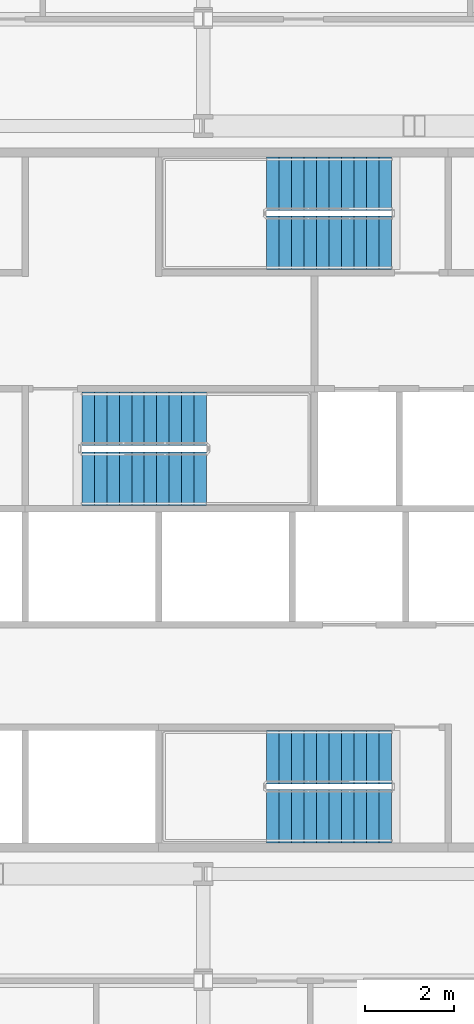
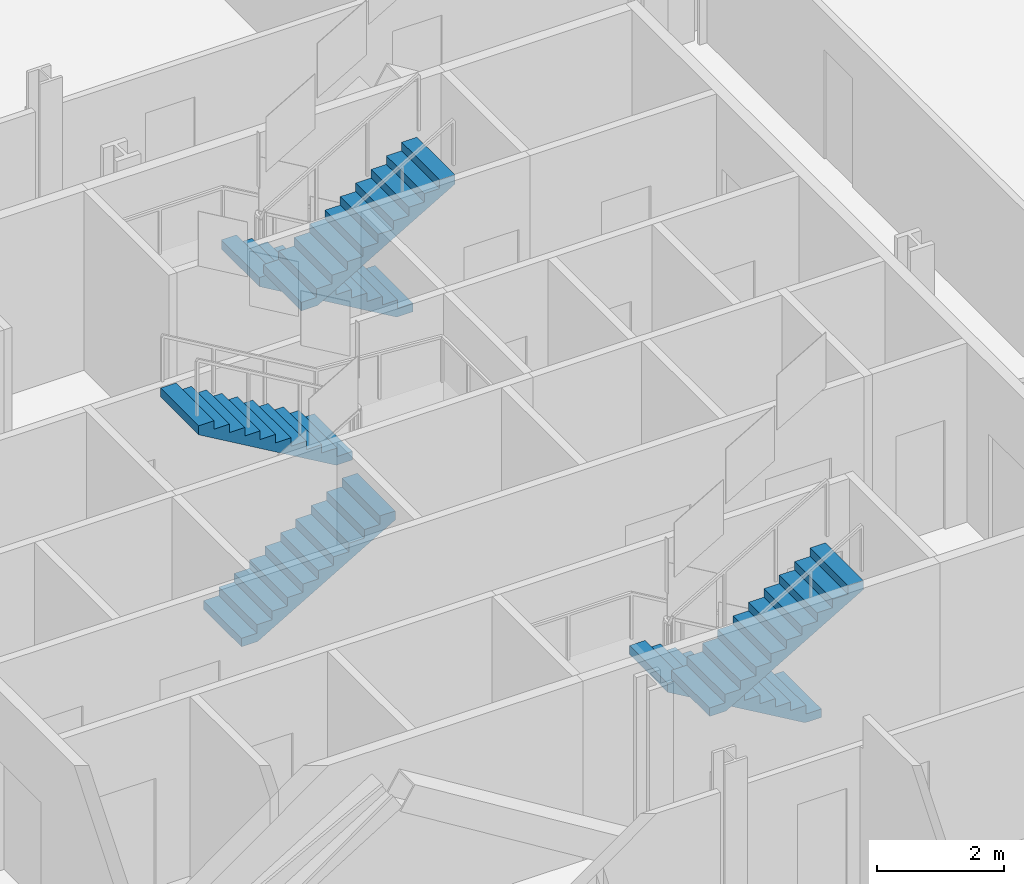
# One storey, part 11 of 20: 6 stair flights, 3 elements without a shape of their own.
"""IFC4 building model written with IfcOpenShell, lengths in metres."""

from ifc_helpers import new_model, si_unit, direction, frame, origin, place, context, subcontext, project, spatial, polyline, outline, extrude, material, type_object, element, aggregate, save


model = new_model("IFC4")

# Units and contexts
model_context = context("Model", 3, precision=1e-05, world=origin(), true_north=direction((0.0, 1.0)))
body_context = subcontext(model_context, "Body", "Model", "MODEL_VIEW")
ifc_project = project(units=[si_unit("LENGTHUNIT", "METRE"), si_unit("AREAUNIT", "SQUARE_METRE"), si_unit("VOLUMEUNIT", "CUBIC_METRE"), si_unit("PLANEANGLEUNIT", "RADIAN"), si_unit("MASSUNIT", "GRAM", prefix="KILO")], contexts=[model_context])

# Site, building, storey
site_placement = place(None, origin())
site = spatial("IfcSite", under=ifc_project, at=site_placement, CompositionType="ELEMENT")
building_placement = place(site_placement, origin())
building = spatial("IfcBuilding", under=site, at=building_placement, Name="Cairn Pilgrim Tower", CompositionType="ELEMENT")
storey_placement = place(building_placement, frame((0.0, 0.0, 101.39990234375)))
storey = spatial("IfcBuildingStorey", under=building, at=storey_placement, Name="L24", CompositionType="ELEMENT", Elevation=101.39990234375)

# Stair, stair flights
ifc_material = material(Name="Concrete C32/40", Category="concrete")
stair_type = type_object("IfcStairType", Name="EXIT STAIR 1200", PredefinedType="HALF_TURN_STAIR", material=ifc_material)
stair_1_placement = place(storey_placement, origin())
stair_1 = element("IfcStair", 1, at=stair_1_placement, inside=storey, type_object=stair_type, Name="L24 Exit Stair A", PredefinedType="HALF_TURN_STAIR")
stair_flight_type = type_object("IfcStairFlightType", Name="STAIR FLIGHT 1200", PredefinedType="STRAIGHT", material=ifc_material)
stair_flight_1_placement = place(storey_placement, frame((11.425048828125, -3.375, 0.0), z_axis=(0.0, 0.0, 1.0), x_axis=(-1.0, 0.0, 0.0)))
stair_flight_1 = element("IfcStairFlight", 2, at=stair_flight_1_placement, type_object=stair_flight_type, Name="ST-A flight 1", NumberOfRisers=11, NumberOfTreads=10, PredefinedType="STRAIGHT", RiserHeight=0.163636364, TreadLength=0.28, context=body_context, shape_type="SweptSolid", body=[
    extrude(outline(polyline([(0.0, 0.0), (0.0, 0.16357421875), (0.280029296875, 0.16357421875), (0.280029296875, 0.327392578125), (0.56005859375, 0.327392578125), (0.56005859375, 0.490966796875), (0.840087890625, 0.490966796875), (0.840087890625, 0.654541015625), (1.1201171875, 0.654541015625), (1.1201171875, 0.818115234375), (1.39990234375, 0.818115234375), (1.39990234375, 0.98193359375), (1.679931640625, 0.98193359375), (1.679931640625, 1.1455078125), (1.9599609375, 1.1455078125), (1.9599609375, 1.30908203125), (2.239990234375, 1.30908203125), (2.239990234375, 1.47265625), (2.52001953125, 1.47265625), (2.52001953125, 1.636474609375), (2.800048828125, 1.636474609375), (2.800048828125, 1.800048828125), (2.800048828125, 1.462646484375), (0.297119140625, 0.0), (0.0, 0.0)])), frame((0.0, 0.60009765625, 0.0), z_axis=(0.0, -1.0, 0.0), x_axis=(1.0, 0.0, 0.0)), (0.0, 0.0, 1.0), 1.199951171875),
])
stair_flight_2_placement = place(storey_placement, frame((8.625, -4.699951171875, 1.800048828125), z_axis=(0.0, 0.0, 1.0), x_axis=(1.0, 0.0, 0.0)))
stair_flight_2 = element("IfcStairFlight", 3, at=stair_flight_2_placement, type_object=stair_flight_type, Name="ST-A flight 2", NumberOfRisers=11, NumberOfTreads=10, PredefinedType="STRAIGHT", RiserHeight=0.163636364, TreadLength=0.28, context=body_context, shape_type="SweptSolid", body=[
    extrude(outline(polyline([(0.0, 0.0), (0.0, 0.16357421875), (0.280029296875, 0.16357421875), (0.280029296875, 0.327392578125), (0.56005859375, 0.327392578125), (0.56005859375, 0.490966796875), (0.840087890625, 0.490966796875), (0.840087890625, 0.654541015625), (1.1201171875, 0.654541015625), (1.1201171875, 0.818115234375), (1.39990234375, 0.818115234375), (1.39990234375, 0.98193359375), (1.679931640625, 0.98193359375), (1.679931640625, 1.1455078125), (1.9599609375, 1.1455078125), (1.9599609375, 1.30908203125), (2.239990234375, 1.30908203125), (2.239990234375, 1.47265625), (2.52001953125, 1.47265625), (2.52001953125, 1.636474609375), (2.800048828125, 1.636474609375), (2.800048828125, 1.800048828125), (2.800048828125, 1.462646484375), (0.297119140625, 0.0), (0.0, 0.0)])), frame((0.0, 0.60009765625, 0.0), z_axis=(0.0, -1.0, 0.0), x_axis=(1.0, 0.0, 0.0)), (0.0, 0.0, 1.0), 1.199951171875),
])
aggregate(stair_1, [stair_flight_1, stair_flight_2])

stair_2_placement = place(storey_placement, origin())
stair_2 = element("IfcStair", 4, at=stair_2_placement, inside=storey, type_object=stair_type, Name="L24 Exit Stair B", PredefinedType="HALF_TURN_STAIR")
stair_flight_3_placement = place(storey_placement, frame((4.47509765625, 2.875, 0.0), z_axis=(0.0, 0.0, 1.0), x_axis=(1.0, 0.0, 0.0)))
stair_flight_3 = element("IfcStairFlight", 5, at=stair_flight_3_placement, type_object=stair_flight_type, Name="ST-B flight 1", NumberOfRisers=11, NumberOfTreads=10, PredefinedType="STRAIGHT", RiserHeight=0.163636364, TreadLength=0.28, context=body_context, shape_type="SweptSolid", body=[
    extrude(outline(polyline([(0.0, 0.0), (0.0, 0.16357421875), (0.280029296875, 0.16357421875), (0.280029296875, 0.327392578125), (0.56005859375, 0.327392578125), (0.56005859375, 0.490966796875), (0.840087890625, 0.490966796875), (0.840087890625, 0.654541015625), (1.1201171875, 0.654541015625), (1.1201171875, 0.818115234375), (1.39990234375, 0.818115234375), (1.39990234375, 0.98193359375), (1.679931640625, 0.98193359375), (1.679931640625, 1.1455078125), (1.9599609375, 1.1455078125), (1.9599609375, 1.30908203125), (2.239990234375, 1.30908203125), (2.239990234375, 1.47265625), (2.52001953125, 1.47265625), (2.52001953125, 1.636474609375), (2.800048828125, 1.636474609375), (2.800048828125, 1.800048828125), (2.800048828125, 1.462646484375), (0.297119140625, 0.0), (0.0, 0.0)])), frame((0.0, 0.60009765625, 0.0), z_axis=(0.0, -1.0, 0.0), x_axis=(1.0, 0.0, 0.0)), (0.0, 0.0, 1.0), 1.199951171875),
])
stair_flight_4_placement = place(storey_placement, frame((7.27490234375, 4.22509765625, 1.800048828125), z_axis=(0.0, 0.0, 1.0), x_axis=(-1.0, 0.0, 0.0)))
stair_flight_4 = element("IfcStairFlight", 6, at=stair_flight_4_placement, type_object=stair_flight_type, Name="ST-B flight 2", NumberOfRisers=11, NumberOfTreads=10, PredefinedType="STRAIGHT", RiserHeight=0.163636364, TreadLength=0.28, context=body_context, shape_type="SweptSolid", body=[
    extrude(outline(polyline([(0.0, 0.0), (0.0, 0.16357421875), (0.280029296875, 0.16357421875), (0.280029296875, 0.327392578125), (0.56005859375, 0.327392578125), (0.56005859375, 0.490966796875), (0.840087890625, 0.490966796875), (0.840087890625, 0.654541015625), (1.1201171875, 0.654541015625), (1.1201171875, 0.818115234375), (1.39990234375, 0.818115234375), (1.39990234375, 0.98193359375), (1.679931640625, 0.98193359375), (1.679931640625, 1.1455078125), (1.9599609375, 1.1455078125), (1.9599609375, 1.30908203125), (2.239990234375, 1.30908203125), (2.239990234375, 1.47265625), (2.52001953125, 1.47265625), (2.52001953125, 1.636474609375), (2.800048828125, 1.636474609375), (2.800048828125, 1.800048828125), (2.800048828125, 1.462646484375), (0.297119140625, 0.0), (0.0, 0.0)])), frame((0.0, 0.60009765625, 0.0), z_axis=(0.0, -1.0, 0.0), x_axis=(1.0, 0.0, 0.0)), (0.0, 0.0, 1.0), 1.199951171875),
])
aggregate(stair_2, [stair_flight_3, stair_flight_4])

stair_3_placement = place(storey_placement, origin())
stair_3 = element("IfcStair", 7, at=stair_3_placement, inside=storey, type_object=stair_type, Name="L24 Exit Stair C", PredefinedType="HALF_TURN_STAIR")
stair_flight_5_placement = place(storey_placement, frame((11.425048828125, 9.5, 0.0), z_axis=(0.0, 0.0, 1.0), x_axis=(-1.0, 0.0, 0.0)))
stair_flight_5 = element("IfcStairFlight", 8, at=stair_flight_5_placement, type_object=stair_flight_type, Name="ST-C flight 1", NumberOfRisers=11, NumberOfTreads=10, PredefinedType="STRAIGHT", RiserHeight=0.163636364, TreadLength=0.28, context=body_context, shape_type="SweptSolid", body=[
    extrude(outline(polyline([(0.0, 0.0), (0.0, 0.16357421875), (0.280029296875, 0.16357421875), (0.280029296875, 0.327392578125), (0.56005859375, 0.327392578125), (0.56005859375, 0.490966796875), (0.840087890625, 0.490966796875), (0.840087890625, 0.654541015625), (1.1201171875, 0.654541015625), (1.1201171875, 0.818115234375), (1.39990234375, 0.818115234375), (1.39990234375, 0.98193359375), (1.679931640625, 0.98193359375), (1.679931640625, 1.1455078125), (1.9599609375, 1.1455078125), (1.9599609375, 1.30908203125), (2.239990234375, 1.30908203125), (2.239990234375, 1.47265625), (2.52001953125, 1.47265625), (2.52001953125, 1.636474609375), (2.800048828125, 1.636474609375), (2.800048828125, 1.800048828125), (2.800048828125, 1.462646484375), (0.297119140625, 0.0), (0.0, 0.0)])), frame((0.0, 0.60009765625, 0.0), z_axis=(0.0, -1.0, 0.0), x_axis=(1.0, 0.0, 0.0)), (0.0, 0.0, 1.0), 1.199951171875),
])
stair_flight_6_placement = place(storey_placement, frame((8.625, 8.175048828125, 1.800048828125), z_axis=(0.0, 0.0, 1.0), x_axis=(1.0, 0.0, 0.0)))
stair_flight_6 = element("IfcStairFlight", 9, at=stair_flight_6_placement, type_object=stair_flight_type, Name="ST-C flight 2", NumberOfRisers=11, NumberOfTreads=10, PredefinedType="STRAIGHT", RiserHeight=0.163636364, TreadLength=0.28, context=body_context, shape_type="SweptSolid", body=[
    extrude(outline(polyline([(0.0, 0.0), (0.0, 0.16357421875), (0.280029296875, 0.16357421875), (0.280029296875, 0.327392578125), (0.56005859375, 0.327392578125), (0.56005859375, 0.490966796875), (0.840087890625, 0.490966796875), (0.840087890625, 0.654541015625), (1.1201171875, 0.654541015625), (1.1201171875, 0.818115234375), (1.39990234375, 0.818115234375), (1.39990234375, 0.98193359375), (1.679931640625, 0.98193359375), (1.679931640625, 1.1455078125), (1.9599609375, 1.1455078125), (1.9599609375, 1.30908203125), (2.239990234375, 1.30908203125), (2.239990234375, 1.47265625), (2.52001953125, 1.47265625), (2.52001953125, 1.636474609375), (2.800048828125, 1.636474609375), (2.800048828125, 1.800048828125), (2.800048828125, 1.462646484375), (0.297119140625, 0.0), (0.0, 0.0)])), frame((0.0, 0.60009765625, 0.0), z_axis=(0.0, -1.0, 0.0), x_axis=(1.0, 0.0, 0.0)), (0.0, 0.0, 1.0), 1.199951171875),
])
aggregate(stair_3, [stair_flight_5, stair_flight_6])

save(model, "model.ifc")
